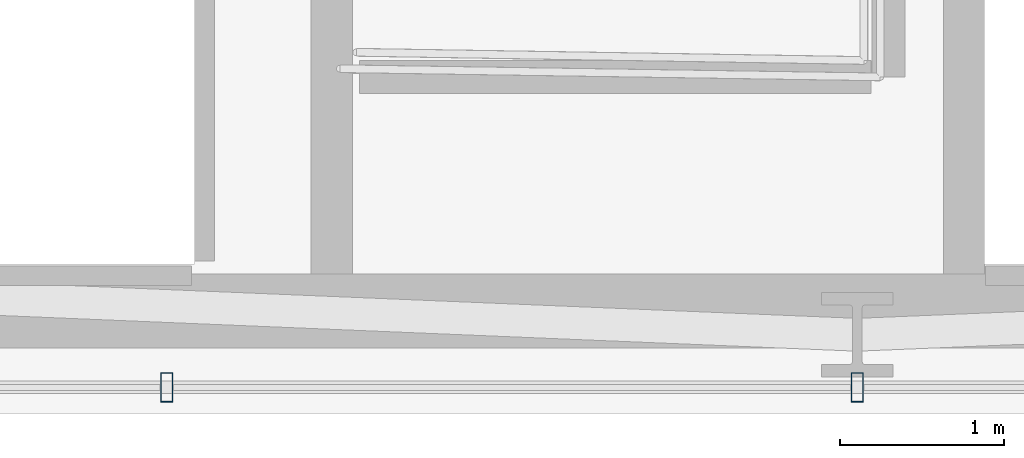
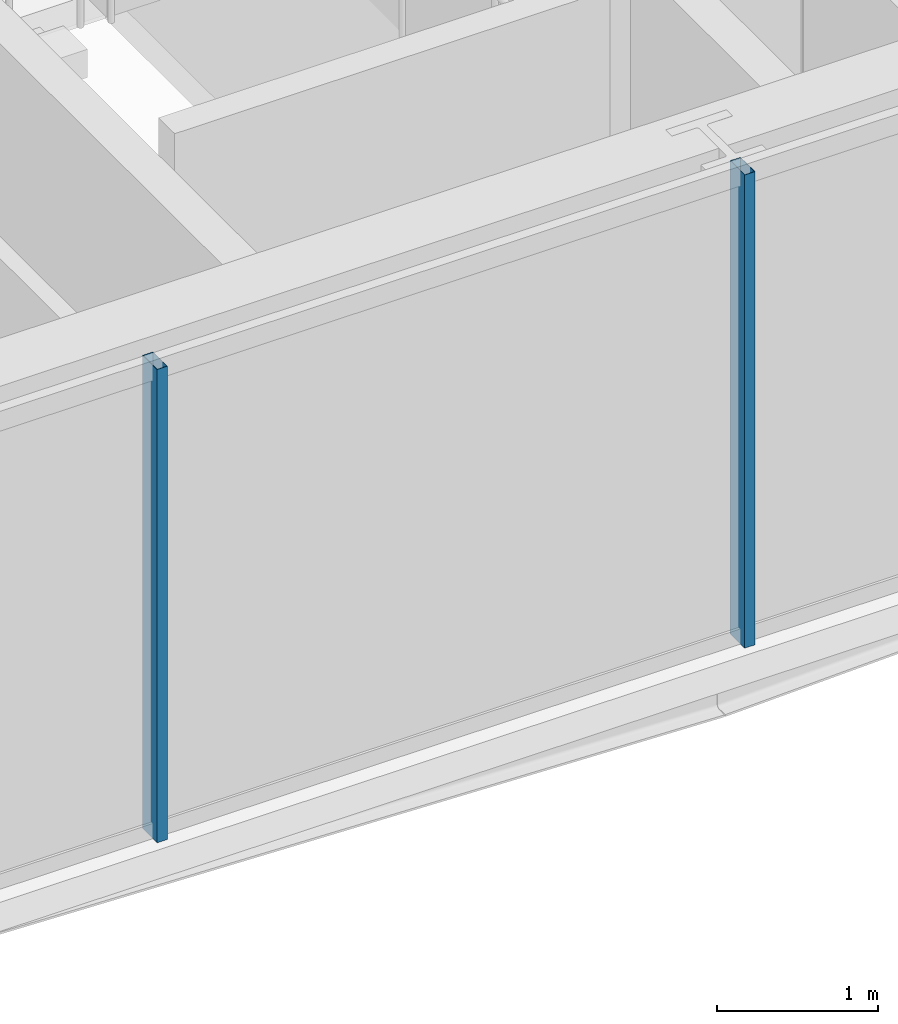
# One storey, part 7 of 31: 2 members, 1 element without a shape of its own.
"""IFC4 building model written with IfcOpenShell, lengths in metres."""

import ifcopenshell
import ifcopenshell.guid

model = None  # the IFC model being written
_history = None  # IfcOwnerHistory: only IFC2X3 demands one
_inside = {}  # id of a spatial element -> (the spatial element, [elements in it])
_under = {}  # id of a project, library or spatial element -> (it, [spatial elements below it])
_declared = {}  # id of a project -> (the project, [libraries it declares])
_typed = {}  # id of a type object -> (the type object, [elements of that type])
_made_of = {}  # id of a material, layer set ... -> (it, [elements and type objects made of it])


def new_model(schema):
    """Start an empty IFC model of exactly this schema.

    Asked for "IFC4X3", IfcOpenShell would pick the latest addendum, in which some entities
    have other attributes; the version numbers below select the first issue.
    IFC2X3 requires an IfcOwnerHistory on every rooted entity: one is made here for all.
    """
    global model, _history
    if schema == "IFC4X3":
        model = ifcopenshell.file(schema_version=(4, 3, 0, 0))
    else:
        model = ifcopenshell.file(schema=schema)
    _inside.clear()
    _under.clear()
    _declared.clear()
    _typed.clear()
    _made_of.clear()
    _history = None
    if model.schema == "IFC2X3":
        org = make("IfcOrganization", Name="unknown")
        user = make(
            "IfcPersonAndOrganization",
            ThePerson=make("IfcPerson", FamilyName="unknown"),
            TheOrganization=org,
        )
        app = make(
            "IfcApplication",
            ApplicationDeveloper=org,
            Version="unknown",
            ApplicationFullName="unknown",
            ApplicationIdentifier="unknown",
        )
        _history = make(
            "IfcOwnerHistory",
            OwningUser=user,
            OwningApplication=app,
            ChangeAction="ADDED",
            CreationDate=0,
        )
    return model


def make(cls, **values):
    """One entity of the class cls with the attributes given. An attribute that is None is left unset."""
    return model.create_entity(
        cls, **{name: value for name, value in values.items() if value is not None}
    )


def rooted(cls, **values):
    """An entity with a GlobalId (a new one), such as an element, a storey or a relation."""
    return make(cls, GlobalId=ifcopenshell.guid.new(), OwnerHistory=_history, **values)


def si_unit(unit_type, name, prefix=None):
    """IfcSIUnit, for example si_unit("LENGTHUNIT", "METRE", prefix="MILLI")."""
    return make("IfcSIUnit", UnitType=unit_type, Prefix=prefix, Name=name)


def assignment(units):
    """IfcUnitAssignment: the units of a project."""
    return None if units is None else make("IfcUnitAssignment", Units=units)


def point(xyz):
    """IfcCartesianPoint."""
    return None if xyz is None else make("IfcCartesianPoint", Coordinates=xyz)


def direction(xyz):
    """IfcDirection."""
    return None if xyz is None else make("IfcDirection", DirectionRatios=xyz)


def frame(location, z_axis=None, x_axis=None):
    """IfcAxis2Placement3D, a coordinate frame: its origin and axes. An axis left out is left unset."""
    return make(
        "IfcAxis2Placement3D",
        Location=point(location),
        Axis=direction(z_axis),
        RefDirection=direction(x_axis),
    )


def frame_2d(location, x_axis=None):
    """IfcAxis2Placement2D, a coordinate frame in the plane: its origin and x axis."""
    return make(
        "IfcAxis2Placement2D", Location=point(location), RefDirection=direction(x_axis)
    )


def origin():
    """The frame at (0, 0, 0) with its axes left unset."""
    return frame((0.0, 0.0, 0.0))


def origin_2d():
    """The frame at (0, 0) in the plane with its x axis left unset."""
    return frame_2d((0.0, 0.0))


def place(relative_to, where):
    """IfcLocalPlacement: puts the frame where relative to a parent placement (None: the world)."""
    return make(
        "IfcLocalPlacement", PlacementRelTo=relative_to, RelativePlacement=where
    )


def context(
    kind, dimensions, precision=None, world=None, true_north=None, identifier=None
):
    """IfcGeometricRepresentationContext, for example the 3D "Model" context."""
    return make(
        "IfcGeometricRepresentationContext",
        ContextIdentifier=identifier,
        ContextType=kind,
        CoordinateSpaceDimension=dimensions,
        Precision=precision,
        WorldCoordinateSystem=world,
        TrueNorth=true_north,
    )


def subcontext(parent, identifier, kind, view, scale=None):
    """IfcGeometricRepresentationSubContext, for example "Body" below "Model"."""
    return make(
        "IfcGeometricRepresentationSubContext",
        ContextIdentifier=identifier,
        ContextType=kind,
        ParentContext=parent,
        TargetScale=scale,
        TargetView=view,
    )


def project(units=None, contexts=None):
    """IfcProject with its units and contexts."""
    return rooted(
        "IfcProject",
        Name="project",
        RepresentationContexts=contexts,
        UnitsInContext=assignment(units),
    )


def spatial(cls, under=None, at=None, **own):
    """A site, building, storey or space (cls), placed at a placement, below another one or the project."""
    s = rooted(cls, ObjectPlacement=at, **own)
    if under is not None:
        _under.setdefault(under.id(), (under, []))[1].append(s)
    return s


def profile(cls, at=None, kind="AREA", **sizes):
    """A parametric profile (cls). Its sizes go by their IFC names, for example OverallWidth=200.0."""
    return make(cls, ProfileType=kind, Position=at, **sizes)


def hollow_rectangle(**sizes):
    """IfcRectangleHollowProfileDef."""
    return profile("IfcRectangleHollowProfileDef", **sizes)


def extrude(swept, where, along, depth):
    """IfcExtrudedAreaSolid: the profile swept, set in the frame where, extruded along a direction by depth."""
    return make(
        "IfcExtrudedAreaSolid",
        SweptArea=swept,
        Position=where,
        ExtrudedDirection=direction(along),
        Depth=depth,
    )


def shape(context_of_items, identifier, shape_type, items):
    """IfcShapeRepresentation: the items that make up one representation, for example the "Body"."""
    return make(
        "IfcShapeRepresentation",
        ContextOfItems=context_of_items,
        RepresentationIdentifier=identifier,
        RepresentationType=shape_type,
        Items=items,
    )


def material(Name=None, Category=None):
    """IfcMaterial."""
    return make("IfcMaterial", Name=Name, Category=Category)


def layer(
    of_material, thickness, ventilated=None, Name=None, Category=None, Priority=None
):
    """IfcMaterialLayer: one layer of a wall or slab, of a material (None: an air gap)."""
    return make(
        "IfcMaterialLayer",
        Material=of_material,
        LayerThickness=thickness,
        IsVentilated=ventilated,
        Name=Name,
        Category=Category,
        Priority=Priority,
    )


def layer_set(layers, Name=None):
    """IfcMaterialLayerSet."""
    return make("IfcMaterialLayerSet", MaterialLayers=layers, LayerSetName=Name)


def material_profile(
    of_material, cross_section, Name=None, Category=None, Priority=None
):
    """IfcMaterialProfile: a cross section and its material."""
    return make(
        "IfcMaterialProfile",
        Name=Name,
        Material=of_material,
        Profile=cross_section,
        Priority=Priority,
        Category=Category,
    )


def profile_set(profiles, Name=None, composite=None):
    """IfcMaterialProfileSet."""
    return make(
        "IfcMaterialProfileSet",
        Name=Name,
        MaterialProfiles=profiles,
        CompositeProfile=composite,
    )


def made_of(thing, what):
    """Note that an element or type object is made of a material, layer set ...; save() writes the relation."""
    if what is not None:
        _made_of.setdefault(what.id(), (what, []))[1].append(thing)
    return thing


def type_object(cls, material=None, **own):
    """A type object (cls), such as IfcWallType, which elements share."""
    return made_of(rooted(cls, **own), material)


def element(
    cls,
    number,
    at=None,
    inside=None,
    cuts=None,
    type_object=None,
    material=None,
    context=None,
    identifier="Body",
    shape_type=None,
    held_by="IfcProductDefinitionShape",
    body=None,
    shapes=None,
    **own,
):
    """One element of the class cls, such as IfcWall. Its Tag is "e" and its number.

    at: its placement. inside: the storey or other place that contains it. cuts: it is an
    opening in that element (IfcRelVoidsElement). A single representation is given by context,
    identifier, shape_type and body (its items); several are given by shapes. held_by: the class
    of the entity that holds the representations. save() writes the other relations.
    """
    e = rooted(cls, Tag="e%d" % number, ObjectPlacement=at, **own)
    if body is not None:
        shapes = [shape(context, identifier, shape_type, body)]
    if shapes is not None:
        e.Representation = make(held_by, Representations=shapes)
    if inside is not None:
        _inside.setdefault(inside.id(), (inside, []))[1].append(e)
    if cuts is not None:
        rooted(
            "IfcRelVoidsElement", RelatingBuildingElement=cuts, RelatedOpeningElement=e
        )
    if type_object is not None:
        _typed.setdefault(type_object.id(), (type_object, []))[1].append(e)
    return made_of(e, material)


def aggregate(whole, parts):
    """IfcRelAggregates: a whole, such as a stair, and the parts it consists of."""
    return rooted("IfcRelAggregates", RelatingObject=whole, RelatedObjects=parts)


def save(model, path):
    """Write the relations noted so far, then the file.

    IfcRelAggregates (storeys below a building ...), IfcRelContainedInSpatialStructure (elements
    in a storey), IfcRelDefinesByType, IfcRelAssociatesMaterial and IfcRelDeclares: one each for
    every whole, place, type object, material and project.
    """
    for whole, parts in _under.values():
        aggregate(whole, parts)
    for where, things in _inside.values():
        rooted(
            "IfcRelContainedInSpatialStructure",
            RelatedElements=things,
            RelatingStructure=where,
        )
    for kind, things in _typed.values():
        rooted("IfcRelDefinesByType", RelatedObjects=things, RelatingType=kind)
    for what, things in _made_of.values():
        rooted("IfcRelAssociatesMaterial", RelatedObjects=things, RelatingMaterial=what)
    for by, libraries in _declared.values():
        rooted("IfcRelDeclares", RelatingContext=by, RelatedDefinitions=libraries)
    model.write(path)


model = new_model("IFC4")

# Units and contexts
model_context = context("Model", 3, precision=1e-05, world=origin(), true_north=direction((0.0, 1.0)))
body_context = subcontext(model_context, "Body", "Model", "MODEL_VIEW")
ifc_project = project(units=[si_unit("LENGTHUNIT", "METRE"), si_unit("AREAUNIT", "SQUARE_METRE"), si_unit("VOLUMEUNIT", "CUBIC_METRE"), si_unit("PLANEANGLEUNIT", "RADIAN"), si_unit("MASSUNIT", "GRAM", prefix="KILO")], contexts=[model_context])

# Site, building, storey
site_placement = place(None, origin())
site = spatial("IfcSite", under=ifc_project, at=site_placement, CompositionType="ELEMENT")
building_placement = place(site_placement, origin())
building = spatial("IfcBuilding", under=site, at=building_placement, Name="Ndaravel Arena Tower", CompositionType="ELEMENT")
storey_placement = place(building_placement, frame((0.0, 0.0, 100.60009765625)))
storey = spatial("IfcBuildingStorey", under=building, at=storey_placement, Name="L23", CompositionType="ELEMENT", Elevation=100.60009765625)

# Curtain wall, members
ifc_material_1 = material(Name="Aluminium", Category="aluminium")
ifc_layer = layer(ifc_material_1, 0.179931640625)
ifc_layer_set = layer_set([ifc_layer], Name="Aluminium")
curtain_wall_type = type_object("IfcCurtainWallType", Name="CW-SYS-03", PredefinedType="NOTDEFINED", material=ifc_layer_set)
curtain_wall_placement = place(storey_placement, origin())
curtain_wall = element("IfcCurtainWall", 1, at=curtain_wall_placement, inside=storey, type_object=curtain_wall_type, Name="L23 Faceted Crystal Curtain Wall CW-L23-E01", PredefinedType="NOTDEFINED")
ifc_material_2 = material(Name="Aluminium", Category="aluminium")
ifc_material_profile = material_profile(ifc_material_2, hollow_rectangle(XDim=0.074951171875, YDim=0.179931640625, WallThickness=0.00390625, at=origin_2d()), Name="CW MULLION 75x180x4")
ifc_profile_set = profile_set([ifc_material_profile], Name="Aluminium")
member_type = type_object("IfcMemberType", Name="MEM-CW-MUL180", PredefinedType="MULLION", material=ifc_profile_set)
member_1_placement = place(storey_placement, frame((37.79541015625, 5.159912109375, 0.0), z_axis=(0.0, 0.0, 1.0), x_axis=(1.0, 0.0, 0.0)))
member_1 = element("IfcMember", 2, at=member_1_placement, type_object=member_type, Name="CW-L23-E01 Mullion 03", PredefinedType="MULLION", context=body_context, shape_type="SweptSolid", body=[
    extrude(hollow_rectangle(XDim=0.074951171875, YDim=0.179931640625, WallThickness=0.00390625, at=origin_2d()), origin(), (0.0, 0.0, 1.0), 3.579833984375),
])
member_2_placement = place(storey_placement, frame((42.0, 5.159912109375, 0.0), z_axis=(0.0, 0.0, 1.0), x_axis=(1.0, 0.0, 0.0)))
member_2 = element("IfcMember", 3, at=member_2_placement, type_object=member_type, Name="CW-L23-E01 Mullion 04", PredefinedType="MULLION", context=body_context, shape_type="SweptSolid", body=[
    extrude(hollow_rectangle(XDim=0.074951171875, YDim=0.179931640625, WallThickness=0.00390625, at=origin_2d()), origin(), (0.0, 0.0, 1.0), 3.579833984375),
])
aggregate(curtain_wall, [member_1, member_2])

save(model, "model.ifc")
